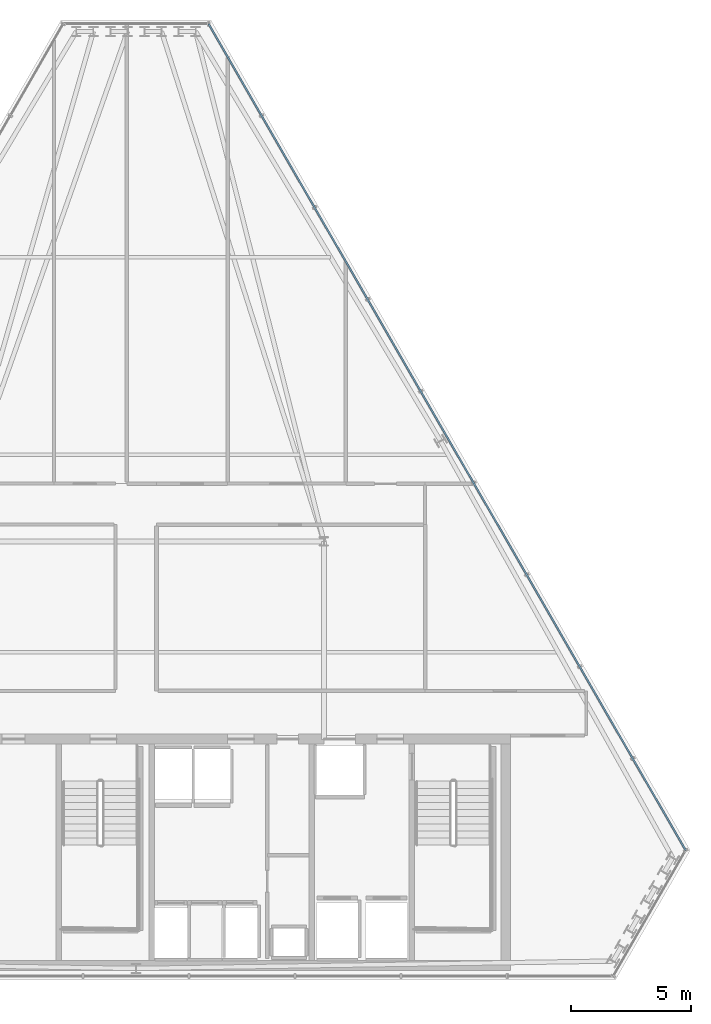
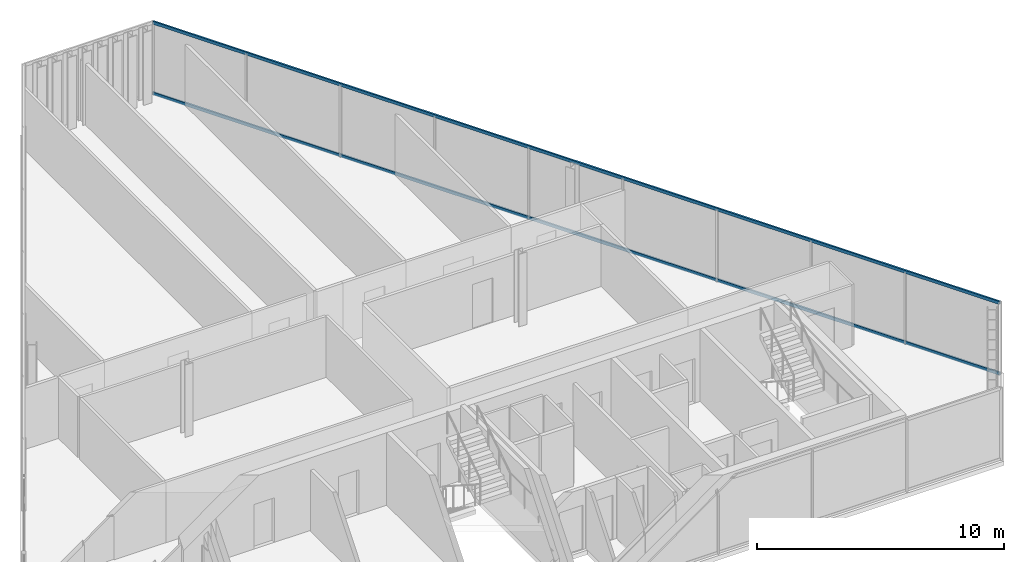
# One storey, part 23 of 32: 2 members, 1 element without a shape of its own.
"""IFC4 building model written with IfcOpenShell, lengths in metres."""

from ifc_helpers import new_model, si_unit, direction, frame, origin, origin_2d, place, context, subcontext, project, spatial, hollow_rectangle, extrude, material, layer, layer_set, material_profile, profile_set, type_object, element, aggregate, save


model = new_model("IFC4")

# Units and contexts
model_context = context("Model", 3, precision=1e-05, world=origin(), true_north=direction((0.0, 1.0)))
body_context = subcontext(model_context, "Body", "Model", "MODEL_VIEW")
ifc_project = project(units=[si_unit("LENGTHUNIT", "METRE"), si_unit("AREAUNIT", "SQUARE_METRE"), si_unit("VOLUMEUNIT", "CUBIC_METRE"), si_unit("PLANEANGLEUNIT", "RADIAN"), si_unit("MASSUNIT", "GRAM", prefix="KILO")], contexts=[model_context])

# Site, building, storey
site_placement = place(None, origin())
site = spatial("IfcSite", under=ifc_project, at=site_placement, CompositionType="ELEMENT")
building_placement = place(site_placement, origin())
building = spatial("IfcBuilding", under=site, at=building_placement, Name="Ndaravel Arena Tower", CompositionType="ELEMENT")
storey_placement = place(building_placement, frame((0.0, 0.0, 256.0)))
storey = spatial("IfcBuildingStorey", under=building, at=storey_placement, Name="L62", CompositionType="ELEMENT", Elevation=256.0)

# Curtain wall, members
ifc_material_1 = material(Name="Aluminium", Category="aluminium")
ifc_layer = layer(ifc_material_1, 0.179931640625)
ifc_layer_set = layer_set([ifc_layer], Name="Aluminium")
curtain_wall_type = type_object("IfcCurtainWallType", Name="CW-SYS-03", PredefinedType="NOTDEFINED", material=ifc_layer_set)
curtain_wall_placement = place(storey_placement, origin())
curtain_wall = element("IfcCurtainWall", 1, at=curtain_wall_placement, inside=storey, type_object=curtain_wall_type, Name="L62 Faceted Crystal Curtain Wall CW-L62-E03", PredefinedType="NOTDEFINED")
ifc_material_2 = material(Name="Aluminium", Category="aluminium")
ifc_material_profile = material_profile(ifc_material_2, hollow_rectangle(XDim=0.074951171875, YDim=0.14990234375, WallThickness=0.00390625, at=origin_2d()), Name="CW TRANSOM 75x150x4")
ifc_profile_set = profile_set([ifc_material_profile], Name="Aluminium")
member_type = type_object("IfcMemberType", Name="MEM-CW-TRN150", PredefinedType="USERDEFINED", material=ifc_profile_set)
member_1_placement = place(storey_placement, frame((64.816650390625, 10.3798828125, 0.0400390625), z_axis=(-0.500002234536, 0.866024113671, 0.0), x_axis=(-0.866024113671, -0.500002234536, 0.0)))
member_1 = element("IfcMember", 2, at=member_1_placement, type_object=member_type, Name="CW-L62-E03 Transom 01", ObjectType="TRANSOM", PredefinedType="USERDEFINED", context=body_context, shape_type="SweptSolid", body=[
    extrude(hollow_rectangle(XDim=0.074951171875, YDim=0.14990234375, WallThickness=0.00390625, at=origin_2d()), origin(), (0.0, 0.0, 1.0), 39.605712890625),
])
member_2_placement = place(storey_placement, frame((64.816650390625, 10.3798828125, 3.5400390625), z_axis=(-0.500002234536, 0.866024113671, 0.0), x_axis=(-0.866024113671, -0.500002234536, 0.0)))
member_2 = element("IfcMember", 3, at=member_2_placement, type_object=member_type, Name="CW-L62-E03 Transom 02", ObjectType="TRANSOM", PredefinedType="USERDEFINED", context=body_context, shape_type="SweptSolid", body=[
    extrude(hollow_rectangle(XDim=0.074951171875, YDim=0.14990234375, WallThickness=0.00390625, at=origin_2d()), origin(), (0.0, 0.0, 1.0), 39.605712890625),
])
aggregate(curtain_wall, [member_1, member_2])

save(model, "model.ifc")
